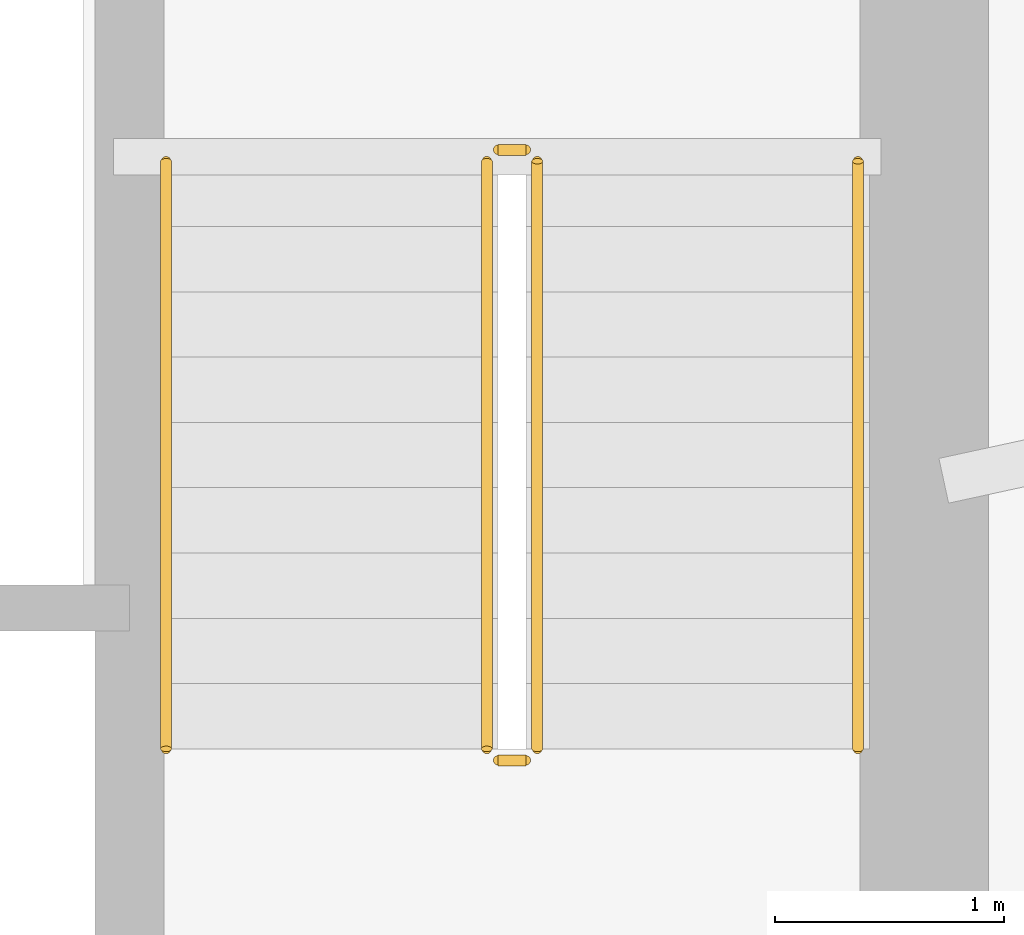
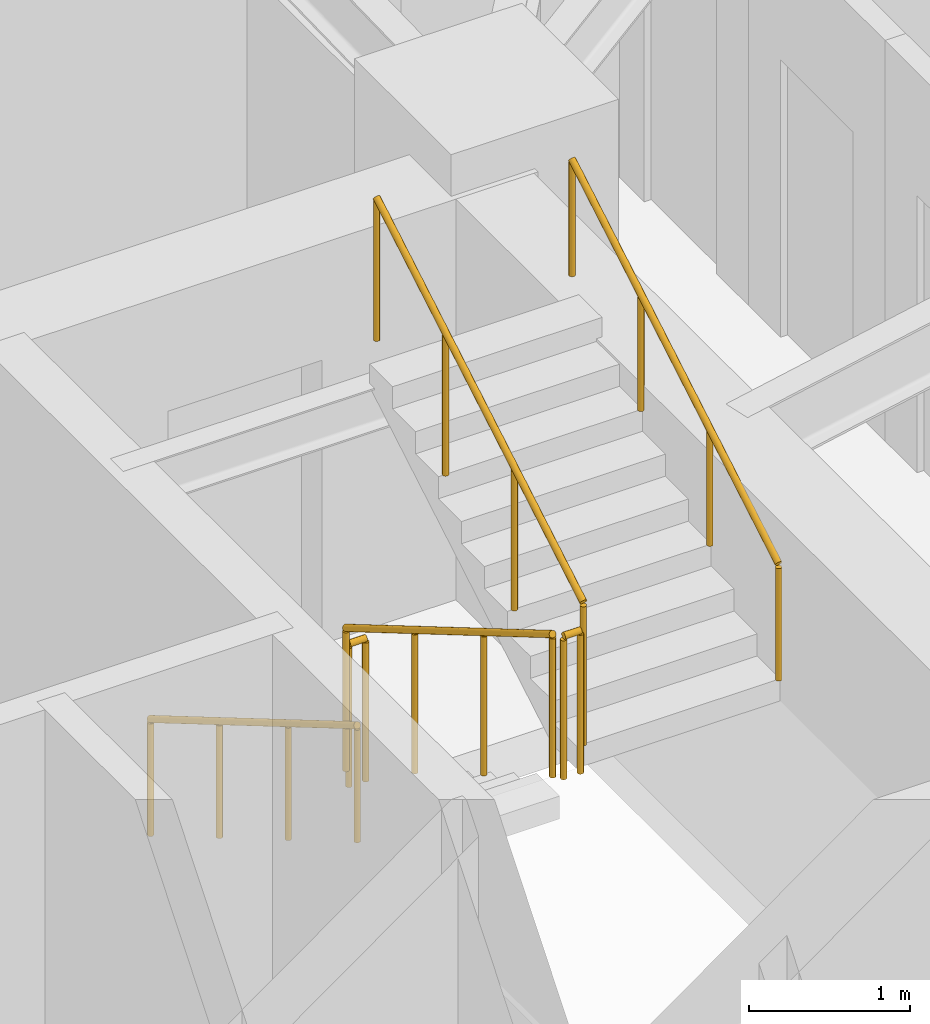
# One storey, part 24 of 24: 6 railings.
"""IFC4 building model written with IfcOpenShell, lengths in metres."""

from ifc_helpers import new_model, si_unit, direction, frame, origin, origin_2d, place, context, subcontext, project, spatial, circle, extrude, material, type_object, element, save


model = new_model("IFC4")

# Units and contexts
model_context = context("Model", 3, precision=1e-05, world=origin(), true_north=direction((0.0, 1.0)))
body_context = subcontext(model_context, "Body", "Model", "MODEL_VIEW")
ifc_project = project(units=[si_unit("LENGTHUNIT", "METRE"), si_unit("AREAUNIT", "SQUARE_METRE"), si_unit("VOLUMEUNIT", "CUBIC_METRE"), si_unit("PLANEANGLEUNIT", "RADIAN"), si_unit("MASSUNIT", "GRAM", prefix="KILO")], contexts=[model_context])

# Site, building, storey
site_placement = place(None, origin())
site = spatial("IfcSite", under=ifc_project, at=site_placement, CompositionType="ELEMENT")
building_placement = place(site_placement, origin())
building = spatial("IfcBuilding", under=site, at=building_placement, Name="Qobustan Lattice House", CompositionType="ELEMENT")
storey_placement = place(building_placement, frame((0.0, 0.0, 43.75)))
storey = spatial("IfcBuildingStorey", under=building, at=storey_placement, Name="L11", CompositionType="ELEMENT", Elevation=43.75)

# Railings
ifc_material_1 = material(Name="Brushed stainless steel handrail", Category="steel")
railing_type_1 = type_object("IfcRailingType", Name="RAL-HR-920", PredefinedType="HANDRAIL", material=ifc_material_1)
railing_1_placement = place(storey_placement, frame((15.179931640625, 3.5, 0.16748046875)))
element("IfcRailing", 1, at=railing_1_placement, inside=storey, type_object=railing_type_1, Name="L11 ST-E1 stair handrail 1", PredefinedType="HANDRAIL", context=body_context, shape_type="SweptSolid", body=[
    extrude(circle(Radius=0.02392578125, at=origin_2d()), frame((0.0, 0.0, 0.8759765625), z_axis=(0.0, -0.862113467892, 0.50671527358), x_axis=(1.0, 0.0, 0.0)), (0.0, 0.0, 1.0), 2.97509765625),
    extrude(circle(Radius=0.02099609375, at=origin_2d()), origin(), (0.0, 0.0, 1.0), 0.851806640625),
    extrude(circle(Radius=0.02099609375, at=origin_2d()), frame((0.0, -0.85498046875, 0.50244140625)), (0.0, 0.0, 1.0), 0.851806640625),
    extrude(circle(Radius=0.02099609375, at=origin_2d()), frame((0.0, -1.7099609375, 1.005126953125)), (0.0, 0.0, 1.0), 0.851806640625),
    extrude(circle(Radius=0.02099609375, at=origin_2d()), frame((0.0, -2.56494140625, 1.507568359375)), (0.0, 0.0, 1.0), 0.851806640625),
])
railing_2_placement = place(storey_placement, frame((18.199951171875, 0.93505859375, 1.842529296875)))
element("IfcRailing", 2, at=railing_2_placement, inside=storey, type_object=railing_type_1, Name="L11 ST-E1 stair handrail 2", PredefinedType="HANDRAIL", context=body_context, shape_type="SweptSolid", body=[
    extrude(circle(Radius=0.02392578125, at=origin_2d()), frame((0.0, 0.0, 0.8759765625), z_axis=(0.0, 0.862113467892, 0.50671527358), x_axis=(-1.0, 0.0, 0.0)), (0.0, 0.0, 1.0), 2.97509765625),
    extrude(circle(Radius=0.02099609375, at=origin_2d()), origin(), (0.0, 0.0, 1.0), 0.851806640625),
    extrude(circle(Radius=0.02099609375, at=origin_2d()), frame((0.0, 0.85498046875, 0.50244140625)), (0.0, 0.0, 1.0), 0.851806640625),
    extrude(circle(Radius=0.02099609375, at=origin_2d()), frame((0.0, 1.7099609375, 1.005126953125)), (0.0, 0.0, 1.0), 0.851806640625),
    extrude(circle(Radius=0.02099609375, at=origin_2d()), frame((0.0, 2.56494140625, 1.507568359375)), (0.0, 0.0, 1.0), 0.851806640625),
])
ifc_material_2 = material(Name="Painted galvanized steel guardrail", Category="steel")
railing_type_2 = type_object("IfcRailingType", Name="RAL-STG-1150", PredefinedType="GUARDRAIL", material=ifc_material_2)
railing_3_placement = place(storey_placement, frame((16.580078125, 3.5, 0.16748046875)))
element("IfcRailing", 3, at=railing_3_placement, inside=storey, type_object=railing_type_2, Name="L11 ST-E1 stair guard 1", PredefinedType="GUARDRAIL", context=body_context, shape_type="SweptSolid", body=[
    extrude(circle(Radius=0.02392578125, at=origin_2d()), frame((0.0, 0.0, 1.076171875), z_axis=(0.0, -0.862113467892, 0.50671527358), x_axis=(1.0, 0.0, 0.0)), (0.0, 0.0, 1.0), 2.97509765625),
    extrude(circle(Radius=0.02099609375, at=origin_2d()), origin(), (0.0, 0.0, 1.0), 1.052001953125),
    extrude(circle(Radius=0.02099609375, at=origin_2d()), frame((0.0, -0.85498046875, 0.50244140625)), (0.0, 0.0, 1.0), 1.052001953125),
    extrude(circle(Radius=0.02099609375, at=origin_2d()), frame((0.0, -1.7099609375, 1.005126953125)), (0.0, 0.0, 1.0), 1.052001953125),
    extrude(circle(Radius=0.02099609375, at=origin_2d()), frame((0.0, -2.56494140625, 1.507568359375)), (0.0, 0.0, 1.0), 1.052001953125),
])
railing_4_placement = place(storey_placement, frame((16.6298828125, 0.885009765625, 1.675048828125)))
element("IfcRailing", 4, at=railing_4_placement, inside=storey, type_object=railing_type_2, Name="L11 ST-E1 stair guard 2", PredefinedType="GUARDRAIL", context=body_context, shape_type="SweptSolid", body=[
    extrude(circle(Radius=0.02392578125, at=origin_2d()), frame((0.0, 0.0, 1.076171875), z_axis=(1.0, 0.0, 0.0), x_axis=(0.0, 1.0, 0.0)), (0.0, 0.0, 1.0), 0.1201171875),
    extrude(circle(Radius=0.02099609375, at=origin_2d()), origin(), (0.0, 0.0, 1.0), 1.052001953125),
    extrude(circle(Radius=0.02099609375, at=origin_2d()), frame((0.1201171875, 0.0, 0.0)), (0.0, 0.0, 1.0), 1.052001953125),
])
railing_5_placement = place(storey_placement, frame((16.800048828125, 0.93505859375, 1.842529296875)))
element("IfcRailing", 5, at=railing_5_placement, inside=storey, type_object=railing_type_2, Name="L11 ST-E1 stair guard 3", PredefinedType="GUARDRAIL", context=body_context, shape_type="SweptSolid", body=[
    extrude(circle(Radius=0.02392578125, at=origin_2d()), frame((0.0, 0.0, 1.076171875), z_axis=(0.0, 0.862113467892, 0.50671527358), x_axis=(-1.0, 0.0, 0.0)), (0.0, 0.0, 1.0), 2.97509765625),
    extrude(circle(Radius=0.02099609375, at=origin_2d()), origin(), (0.0, 0.0, 1.0), 1.052001953125),
    extrude(circle(Radius=0.02099609375, at=origin_2d()), frame((0.0, 0.85498046875, 0.50244140625)), (0.0, 0.0, 1.0), 1.052001953125),
    extrude(circle(Radius=0.02099609375, at=origin_2d()), frame((0.0, 1.7099609375, 1.005126953125)), (0.0, 0.0, 1.0), 1.052001953125),
    extrude(circle(Radius=0.02099609375, at=origin_2d()), frame((0.0, 2.56494140625, 1.507568359375)), (0.0, 0.0, 1.0), 1.052001953125),
])
railing_6_placement = place(storey_placement, frame((16.6298828125, 3.550048828125, 0.0)))
element("IfcRailing", 6, at=railing_6_placement, inside=storey, type_object=railing_type_2, Name="L11 ST-E1 stair guard 4", PredefinedType="GUARDRAIL", context=body_context, shape_type="SweptSolid", body=[
    extrude(circle(Radius=0.02392578125, at=origin_2d()), frame((0.0, 0.0, 1.076171875), z_axis=(1.0, 0.0, 0.0), x_axis=(0.0, 1.0, 0.0)), (0.0, 0.0, 1.0), 0.1201171875),
    extrude(circle(Radius=0.02099609375, at=origin_2d()), origin(), (0.0, 0.0, 1.0), 1.052001953125),
    extrude(circle(Radius=0.02099609375, at=origin_2d()), frame((0.1201171875, 0.0, 0.0)), (0.0, 0.0, 1.0), 1.052001953125),
])

save(model, "model.ifc")
